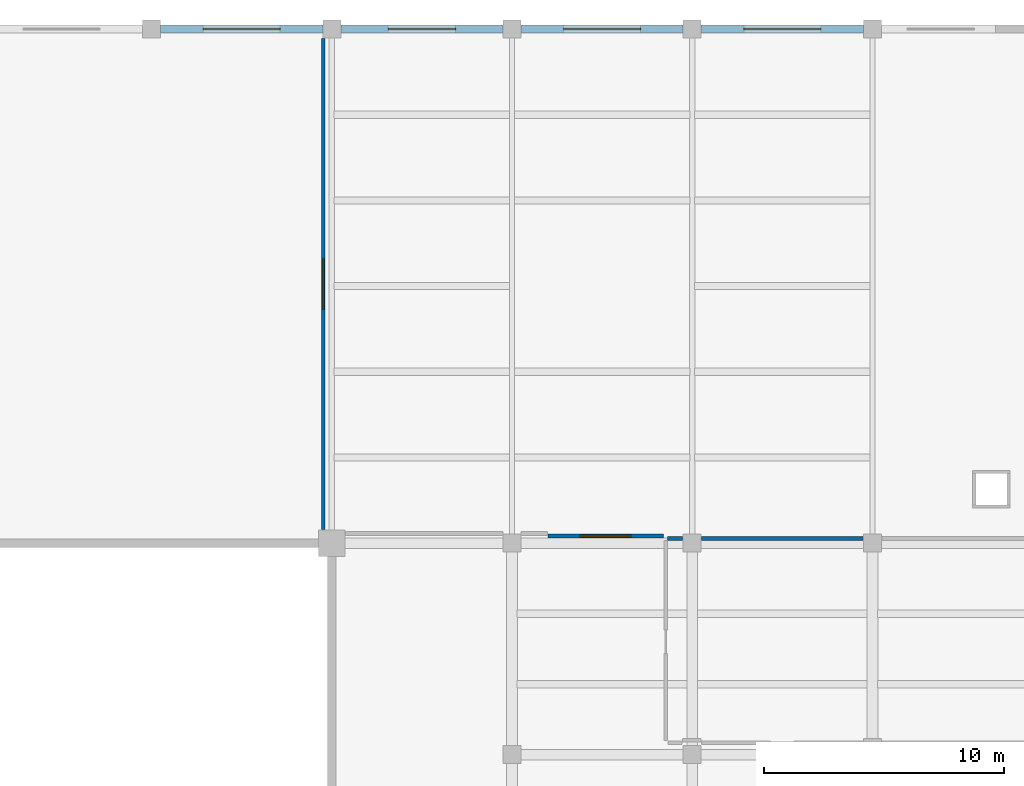
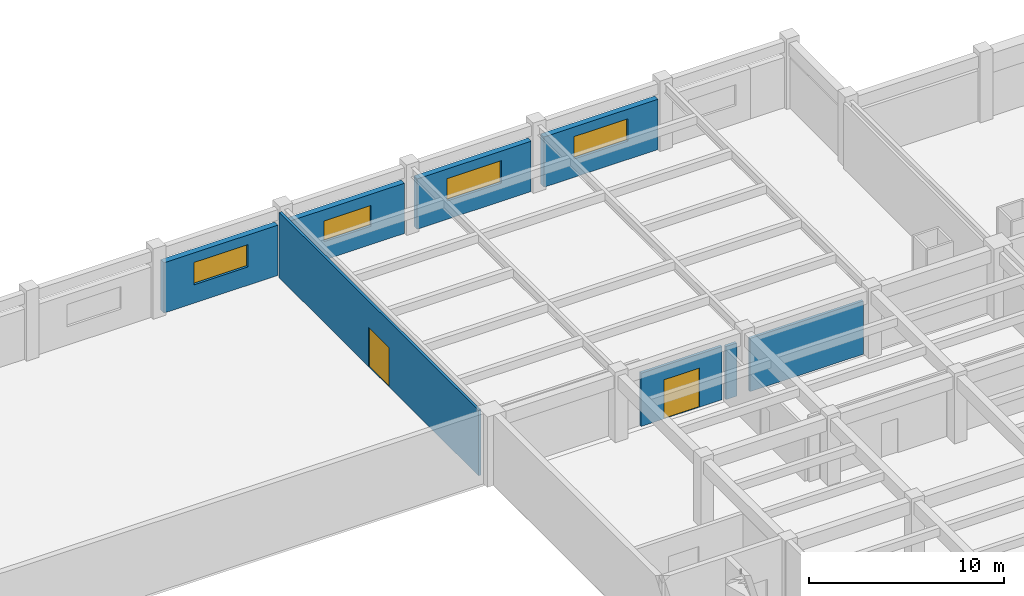
# One storey, part 75 of 90: 8 walls, 4 windows, 2 doors, 6 openings.
"""IFC4 building model written with IfcOpenShell, lengths in metres."""

from ifc_helpers import new_model, si_unit, direction, frame, frame_2d, origin, place, context, subcontext, project, spatial, rectangle, extrude, material, layer, layer_set, type_object, element, fill, save


model = new_model("IFC4")

# Units and contexts
model_context = context("Model", 3, precision=1e-05, world=origin(), true_north=direction((0.0, 1.0)))
body_context = subcontext(model_context, "Body", "Model", "MODEL_VIEW")
ifc_project = project(units=[si_unit("LENGTHUNIT", "METRE"), si_unit("AREAUNIT", "SQUARE_METRE"), si_unit("VOLUMEUNIT", "CUBIC_METRE"), si_unit("PLANEANGLEUNIT", "RADIAN"), si_unit("MASSUNIT", "GRAM", prefix="KILO")], contexts=[model_context])

# Site, building, storey
site_placement = place(None, origin())
site = spatial("IfcSite", under=ifc_project, at=site_placement, CompositionType="ELEMENT")
building_placement = place(site_placement, origin())
building = spatial("IfcBuilding", under=site, at=building_placement, Name="Muzn Square Opera House", CompositionType="ELEMENT")
storey_placement = place(building_placement, frame((0.0, 0.0, 9.800048828125)))
storey = spatial("IfcBuildingStorey", under=building, at=storey_placement, Name="L02", CompositionType="ELEMENT", Elevation=9.800048828125)

# Wall, opening, window
ifc_material_1 = material(Name="Concrete C40/50", Category="concrete")
ifc_layer_1 = layer(ifc_material_1, 0.340087890625, Name="Concrete C40/50", Category="concrete")
ifc_layer_set_1 = layer_set([ifc_layer_1], Name="Concrete C40/50")
wall_type_1 = type_object("IfcWallType", Name="Exterior Insulated Spandrel Wall 340mm", PredefinedType="SOLIDWALL", material=ifc_layer_set_1)
wall_1_placement = place(storey_placement, frame((95.875, 120.0, 0.0), z_axis=(0.0, 0.0, 1.0), x_axis=(1.0, 0.0, 0.0)))
wall_1 = element("IfcWall", 1, at=wall_1_placement, inside=storey, type_object=wall_type_1, Name="Exterior Facade Wall EW-L02-066", PredefinedType="SOLIDWALL", context=body_context, shape_type="SweptSolid", body=[
    extrude(rectangle(XDim=6.75, YDim=0.340087890625, at=frame_2d((3.375, 0.0))), origin(), (0.0, 0.0, 1.0), 3.14990234375),
])
opening_1_placement = place(wall_1_placement, frame((1.77490234375, 0.0, 1.14990234375)))
opening_1 = element("IfcOpeningElement", 2, at=opening_1_placement, cuts=wall_1, Name="Opening WN-S3214", PredefinedType="OPENING", context=body_context, shape_type="SweptSolid", body=[
    extrude(rectangle(XDim=3.199951171875, YDim=1.39990234375, at=frame_2d((1.60009765625, 0.699951171875))), frame((0.0, 0.179931640625, 0.0), z_axis=(0.0, -1.0, 0.0), x_axis=(1.0, 0.0, 0.0)), (0.0, 0.0, 1.0), 0.360107421875),
])
ifc_material_2 = material(Name="Low-E laminated acoustic double glazing", Category="glass")
window_type_1 = type_object("IfcWindowType", Name="Scenery Clerestory Window 3200x1400", PartitioningType="TRIPLE_PANEL_VERTICAL", PredefinedType="WINDOW", material=ifc_material_2)
window_1_placement = place(opening_1_placement, origin())
window_1 = element("IfcWindow", 3, at=window_1_placement, inside=storey, type_object=window_type_1, Name="Scenery Clerestory Window 3200x1400 EW-L02-066-WN01", OverallHeight=1.39990234375, OverallWidth=3.199951171875, PartitioningType="SINGLE_PANEL", PredefinedType="WINDOW", context=body_context, shape_type="SweptSolid", body=[
    extrude(rectangle(XDim=3.199951171875, YDim=1.39990234375, at=frame_2d((1.60009765625, 0.699951171875))), frame((0.0, 0.030029296875, 0.0), z_axis=(0.0, -1.0, 0.0), x_axis=(1.0, 0.0, 0.0)), (0.0, 0.0, 1.0), 0.06005859375),
])
fill(opening_1, window_1)

wall_2_placement = place(storey_placement, frame((103.375, 120.0, 0.0), z_axis=(0.0, 0.0, 1.0), x_axis=(1.0, 0.0, 0.0)))
wall_2 = element("IfcWall", 4, at=wall_2_placement, inside=storey, type_object=wall_type_1, Name="Exterior Facade Wall EW-L02-067", PredefinedType="SOLIDWALL", context=body_context, shape_type="SweptSolid", body=[
    extrude(rectangle(XDim=6.75, YDim=0.340087890625, at=frame_2d((3.375, 0.0))), origin(), (0.0, 0.0, 1.0), 3.14990234375),
])
opening_2_placement = place(wall_2_placement, frame((1.97509765625, 0.0, 1.14990234375)))
opening_2 = element("IfcOpeningElement", 5, at=opening_2_placement, cuts=wall_2, Name="Opening WN-S2813", PredefinedType="OPENING", context=body_context, shape_type="SweptSolid", body=[
    extrude(rectangle(XDim=2.800048828125, YDim=1.300048828125, at=frame_2d((1.39990234375, 0.64990234375))), frame((0.0, 0.179931640625, 0.0), z_axis=(0.0, -1.0, 0.0), x_axis=(1.0, 0.0, 0.0)), (0.0, 0.0, 1.0), 0.360107421875),
])
window_type_2 = type_object("IfcWindowType", Name="Scenery Clerestory Window 2800x1300", PartitioningType="DOUBLE_PANEL_HORIZONTAL", PredefinedType="WINDOW", material=ifc_material_2)
window_2_placement = place(opening_2_placement, origin())
window_2 = element("IfcWindow", 6, at=window_2_placement, inside=storey, type_object=window_type_2, Name="Scenery Clerestory Window 2800x1300 EW-L02-067-WN01", OverallHeight=1.300048828125, OverallWidth=2.800048828125, PartitioningType="SINGLE_PANEL", PredefinedType="WINDOW", context=body_context, shape_type="SweptSolid", body=[
    extrude(rectangle(XDim=2.800048828125, YDim=1.300048828125, at=frame_2d((1.39990234375, 0.64990234375))), frame((0.0, 0.030029296875, 0.0), z_axis=(0.0, -1.0, 0.0), x_axis=(1.0, 0.0, 0.0)), (0.0, 0.0, 1.0), 0.06005859375),
])
fill(opening_2, window_2)

wall_3_placement = place(storey_placement, frame((110.875, 120.0, 0.0), z_axis=(0.0, 0.0, 1.0), x_axis=(1.0, 0.0, 0.0)))
wall_3 = element("IfcWall", 7, at=wall_3_placement, inside=storey, type_object=wall_type_1, Name="Exterior Facade Wall EW-L02-068", PredefinedType="SOLIDWALL", context=body_context, shape_type="SweptSolid", body=[
    extrude(rectangle(XDim=6.75, YDim=0.340087890625, at=frame_2d((3.375, 0.0))), origin(), (0.0, 0.0, 1.0), 3.14990234375),
])
opening_3_placement = place(wall_3_placement, frame((1.77490234375, 0.0, 1.14990234375)))
opening_3 = element("IfcOpeningElement", 8, at=opening_3_placement, cuts=wall_3, Name="Opening WN-S3214", PredefinedType="OPENING", context=body_context, shape_type="SweptSolid", body=[
    extrude(rectangle(XDim=3.199951171875, YDim=1.39990234375, at=frame_2d((1.60009765625, 0.699951171875))), frame((0.0, 0.179931640625, 0.0), z_axis=(0.0, -1.0, 0.0), x_axis=(1.0, 0.0, 0.0)), (0.0, 0.0, 1.0), 0.360107421875),
])
window_3_placement = place(opening_3_placement, origin())
window_3 = element("IfcWindow", 9, at=window_3_placement, inside=storey, type_object=window_type_1, Name="Scenery Clerestory Window 3200x1400 EW-L02-068-WN01", OverallHeight=1.39990234375, OverallWidth=3.199951171875, PartitioningType="SINGLE_PANEL", PredefinedType="WINDOW", context=body_context, shape_type="SweptSolid", body=[
    extrude(rectangle(XDim=3.199951171875, YDim=1.39990234375, at=frame_2d((1.60009765625, 0.699951171875))), frame((0.0, 0.030029296875, 0.0), z_axis=(0.0, -1.0, 0.0), x_axis=(1.0, 0.0, 0.0)), (0.0, 0.0, 1.0), 0.06005859375),
])
fill(opening_3, window_3)

wall_4_placement = place(storey_placement, frame((118.375, 120.0, 0.0), z_axis=(0.0, 0.0, 1.0), x_axis=(1.0, 0.0, 0.0)))
wall_4 = element("IfcWall", 10, at=wall_4_placement, inside=storey, type_object=wall_type_1, Name="Exterior Facade Wall EW-L02-069", PredefinedType="SOLIDWALL", context=body_context, shape_type="SweptSolid", body=[
    extrude(rectangle(XDim=6.75, YDim=0.340087890625, at=frame_2d((3.375, 0.0))), origin(), (0.0, 0.0, 1.0), 3.14990234375),
])
opening_4_placement = place(wall_4_placement, frame((1.77490234375, 0.0, 1.14990234375)))
opening_4 = element("IfcOpeningElement", 11, at=opening_4_placement, cuts=wall_4, Name="Opening WN-S3214", PredefinedType="OPENING", context=body_context, shape_type="SweptSolid", body=[
    extrude(rectangle(XDim=3.199951171875, YDim=1.39990234375, at=frame_2d((1.60009765625, 0.699951171875))), frame((0.0, 0.179931640625, 0.0), z_axis=(0.0, -1.0, 0.0), x_axis=(1.0, 0.0, 0.0)), (0.0, 0.0, 1.0), 0.360107421875),
])
window_4_placement = place(opening_4_placement, origin())
window_4 = element("IfcWindow", 12, at=window_4_placement, inside=storey, type_object=window_type_1, Name="Scenery Clerestory Window 3200x1400 EW-L02-069-WN01", OverallHeight=1.39990234375, OverallWidth=3.199951171875, PartitioningType="SINGLE_PANEL", PredefinedType="WINDOW", context=body_context, shape_type="SweptSolid", body=[
    extrude(rectangle(XDim=3.199951171875, YDim=1.39990234375, at=frame_2d((1.60009765625, 0.699951171875))), frame((0.0, 0.030029296875, 0.0), z_axis=(0.0, -1.0, 0.0), x_axis=(1.0, 0.0, 0.0)), (0.0, 0.0, 1.0), 0.06005859375),
])
fill(opening_4, window_4)

# Wall, opening, door
ifc_material_3 = material(Name="Acoustic gypsum stud partition", Category="gypsum")
ifc_layer_2 = layer(ifc_material_3, 0.14990234375, Name="Acoustic gypsum stud partition", Category="gypsum")
ifc_layer_set_2 = layer_set([ifc_layer_2], Name="Acoustic gypsum stud partition")
wall_type_2 = type_object("IfcWallType", Name="Office Acoustic Partition 150mm", PredefinedType="PARTITIONING", material=ifc_layer_set_2)
wall_5_placement = place(storey_placement, frame((102.64990234375, 99.169921875, 0.0), z_axis=(0.0, 0.0, 1.0), x_axis=(0.0, 1.0, 0.0)))
wall_5 = element("IfcWall", 13, at=wall_5_placement, inside=storey, type_object=wall_type_2, Name="Interior Partition PW-L02-0278", PredefinedType="PARTITIONING", context=body_context, shape_type="SweptSolid", body=[
    extrude(rectangle(XDim=20.43505859375, YDim=0.14990234375, at=frame_2d((10.217529296875, 0.0))), origin(), (0.0, 0.0, 1.0), 4.099853515625),
])
opening_5_placement = place(wall_5_placement, frame((9.16748046875, 0.0, 0.0)))
opening_5 = element("IfcOpeningElement", 14, at=opening_5_placement, cuts=wall_5, Name="Opening DR-PW21", PredefinedType="OPENING", context=body_context, shape_type="SweptSolid", body=[
    extrude(rectangle(XDim=2.10009765625, YDim=2.449951171875, at=frame_2d((1.050048828125, 1.22509765625))), frame((0.0, 0.0849609375, 0.0), z_axis=(0.0, -1.0, 0.0), x_axis=(1.0, 0.0, 0.0)), (0.0, 0.0, 1.0), 0.169921875),
])
ifc_material_4 = material(Name="Galvanised painted steel leaf", Category="metal")
door_type = type_object("IfcDoorType", Name="Prop Workshop Double Door 2100x2450", OperationType="DOUBLE_DOOR_SINGLE_SWING", PredefinedType="DOOR", material=ifc_material_4)
door_1_placement = place(opening_5_placement, origin())
door_1 = element("IfcDoor", 15, at=door_1_placement, inside=storey, type_object=door_type, Name="Scenery Paint Frame Mezzanine Door DR-L02-0087", OperationType="DOUBLE_DOOR_SINGLE_SWING", OverallHeight=2.449951171875, OverallWidth=2.10009765625, PredefinedType="DOOR", context=body_context, shape_type="SweptSolid", body=[
    extrude(rectangle(XDim=2.10009765625, YDim=2.449951171875, at=frame_2d((1.050048828125, 1.22509765625))), frame((0.0, 0.02490234375, 0.0), z_axis=(0.0, -1.0, 0.0), x_axis=(1.0, 0.0, 0.0)), (0.0, 0.0, 1.0), 0.050048828125),
])
fill(opening_5, door_1)

# Wall
ifc_layer_3 = layer(ifc_material_3, 0.159912109375, Name="Acoustic gypsum stud partition", Category="gypsum")
ifc_layer_set_3 = layer_set([ifc_layer_3], Name="Acoustic gypsum stud partition")
wall_type_3 = type_object("IfcWallType", Name="Workshop Rated Partition 160mm", PredefinedType="PARTITIONING", material=ifc_layer_set_3)
wall_6_placement = place(storey_placement, frame((118.39501953125, 98.800048828125, 0.0), z_axis=(0.0, 0.0, 1.0), x_axis=(1.0, 0.0, 0.0)))
element("IfcWall", 16, at=wall_6_placement, inside=storey, type_object=wall_type_3, Name="Interior Partition PW-L02-0285", PredefinedType="PARTITIONING", context=body_context, shape_type="SweptSolid", body=[
    extrude(rectangle(XDim=6.7099609375, YDim=0.159912109375, at=frame_2d((3.35498046875, 0.0))), origin(), (0.0, 0.0, 1.0), 3.329833984375),
])

# Wall, opening, door
wall_7_placement = place(storey_placement, frame((112.0, 98.89990234375, 0.0), z_axis=(0.0, 0.0, 1.0), x_axis=(1.0, 0.0, 0.0)))
wall_7 = element("IfcWall", 17, at=wall_7_placement, inside=storey, type_object=wall_type_3, Name="Interior Partition PW-L02-0288", PredefinedType="PARTITIONING", context=body_context, shape_type="SweptSolid", body=[
    extrude(rectangle(XDim=4.800048828125, YDim=0.159912109375, at=frame_2d((2.39990234375, 0.0))), origin(), (0.0, 0.0, 1.0), 3.329833984375),
])
opening_6_placement = place(wall_7_placement, frame((1.35009765625, 0.0, 0.0)))
opening_6 = element("IfcOpeningElement", 18, at=opening_6_placement, cuts=wall_7, Name="Opening DR-PW21", PredefinedType="OPENING", context=body_context, shape_type="SweptSolid", body=[
    extrude(rectangle(XDim=2.10009765625, YDim=2.449951171875, at=frame_2d((1.050048828125, 1.22509765625))), frame((0.0, 0.08984375, 0.0), z_axis=(0.0, -1.0, 0.0), x_axis=(1.0, 0.0, 0.0)), (0.0, 0.0, 1.0), 0.179931640625),
])
door_2_placement = place(opening_6_placement, origin())
door_2 = element("IfcDoor", 19, at=door_2_placement, inside=storey, type_object=door_type, Name="Armoury and Stage Prop Workshop Door DR-L02-0092", OperationType="DOUBLE_DOOR_SINGLE_SWING", OverallHeight=2.449951171875, OverallWidth=2.10009765625, PredefinedType="DOOR", context=body_context, shape_type="SweptSolid", body=[
    extrude(rectangle(XDim=2.10009765625, YDim=2.449951171875, at=frame_2d((1.050048828125, 1.22509765625))), frame((0.0, 0.02490234375, 0.0), z_axis=(0.0, -1.0, 0.0), x_axis=(1.0, 0.0, 0.0)), (0.0, 0.0, 1.0), 0.050048828125),
])
fill(opening_6, door_2)

# Wall
wall_8_placement = place(storey_placement, frame((116.965087890625, 98.800048828125, 0.0), z_axis=(0.0, 0.0, 1.0), x_axis=(1.0, 0.0, 0.0)))
element("IfcWall", 20, at=wall_8_placement, inside=storey, type_object=wall_type_3, Name="Interior Partition PW-L02-0287", PredefinedType="PARTITIONING", context=body_context, shape_type="SweptSolid", body=[
    extrude(rectangle(XDim=0.639892578125, YDim=0.159912109375, at=frame_2d((0.31982421875, 0.0))), origin(), (0.0, 0.0, 1.0), 3.329833984375),
])

save(model, "model.ifc")
